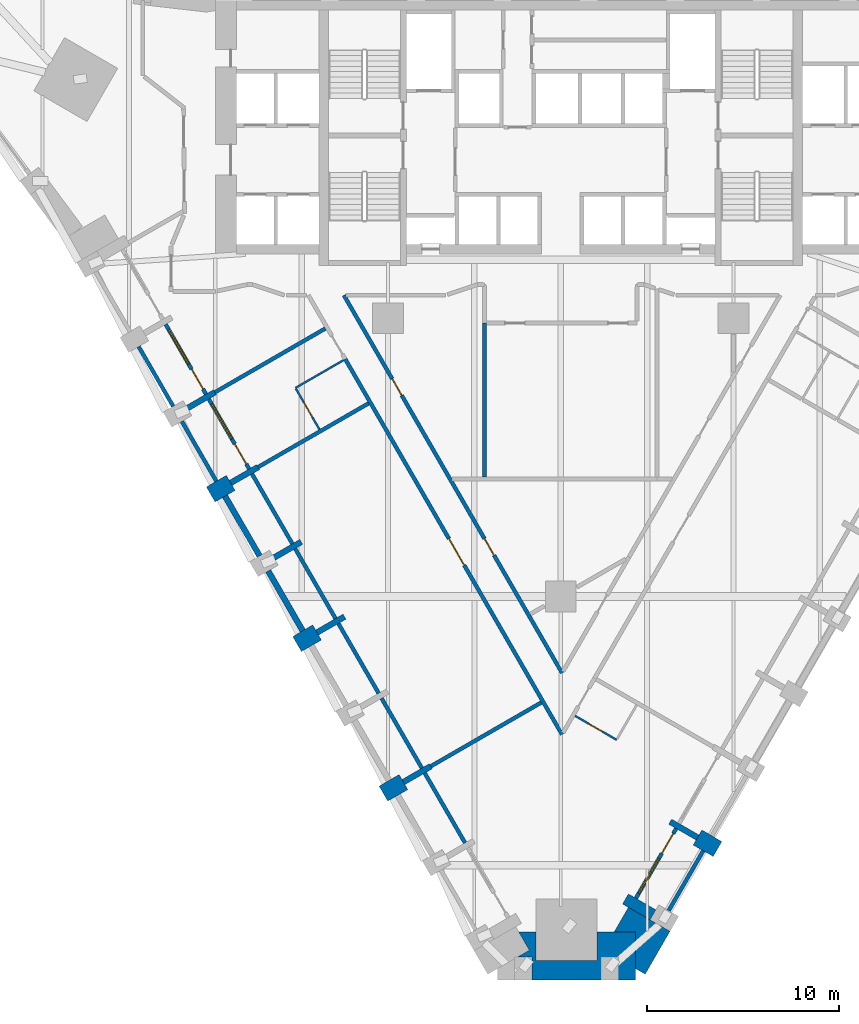
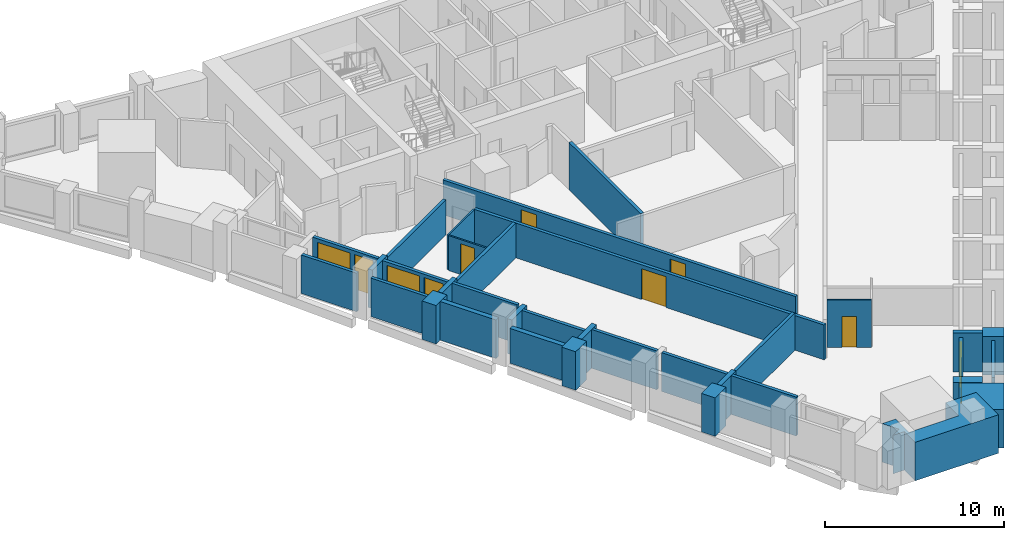
# One storey, part 3 of 10: 35 walls, 8 doors, 3 windows, 11 openings.
"""IFC4 building model written with IfcOpenShell, lengths in metres."""

from ifc_helpers import new_model, si_unit, direction, frame, frame_2d, origin, place, context, subcontext, project, spatial, polyline, rectangle, outline, extrude, material, layer, layer_set, type_object, element, fill, save


model = new_model("IFC4")

# Units and contexts
model_context = context("Model", 3, precision=1e-05, world=origin(), true_north=direction((0.0, 1.0)))
body_context = subcontext(model_context, "Body", "Model", "MODEL_VIEW")
ifc_project = project(units=[si_unit("LENGTHUNIT", "METRE"), si_unit("AREAUNIT", "SQUARE_METRE"), si_unit("VOLUMEUNIT", "CUBIC_METRE"), si_unit("PLANEANGLEUNIT", "RADIAN"), si_unit("MASSUNIT", "GRAM", prefix="KILO")], contexts=[model_context])

# Site, building, storey
site_placement = place(None, origin())
site = spatial("IfcSite", under=ifc_project, at=site_placement, CompositionType="ELEMENT")
building_placement = place(site_placement, origin())
building = spatial("IfcBuilding", under=site, at=building_placement, Name="Calabash Gate Tower", CompositionType="ELEMENT")
storey_placement = place(building_placement, frame((0.0, 0.0, 63.0)))
storey = spatial("IfcBuildingStorey", under=building, at=storey_placement, Name="L11", CompositionType="ELEMENT", Elevation=63.0)

# Walls
ifc_material_1 = material(Name="Terracotta brick masonry, exposed face", Category="masonry")
ifc_layer_1 = layer(ifc_material_1, 2.5)
ifc_layer_set_1 = layer_set([ifc_layer_1], Name="Brick corner mass wall 2500")
wall_type_1 = type_object("IfcWallType", Name="Brick corner mass wall 2500", PredefinedType="SOLIDWALL", material=ifc_layer_set_1)
wall_1_placement = place(storey_placement, origin())
element("IfcWall", 1, at=wall_1_placement, inside=storey, type_object=wall_type_1, Name="Brick corner pier S02 2bb", PredefinedType="SOLIDWALL", context=body_context, shape_type="SweptSolid", body=[
    extrude(outline(polyline([(-1.501953125, -30.780029296875), (-1.501953125, -31.97998046875), (3.8828125, -31.97998046875), (3.8828125, -29.47998046875), (1.89794921875, -29.47998046875), (1.89794921875, -30.9541015625), (-1.302001953125, -30.9541015625), (-1.302001953125, -29.47998046875), (-2.189208984375, -29.47998046875), (-1.640625, -30.43017578125), (-2.246826171875, -30.780029296875), (-1.501953125, -30.780029296875)])), origin(), (0.0, 0.0, 1.0), 2.6298828125),
])
wall_2_placement = place(storey_placement, origin())
element("IfcWall", 2, at=wall_2_placement, inside=storey, type_object=wall_type_1, Name="Brick corner pier S02 2c", PredefinedType="SOLIDWALL", context=body_context, shape_type="SweptSolid", body=[
    extrude(outline(polyline([(5.69384765625, -29.443115234375), (3.52880859375, -28.193115234375), (2.78564453125, -29.47998046875), (3.8828125, -29.47998046875), (3.8828125, -31.380126953125), (4.40234375, -31.68017578125), (5.69384765625, -29.443115234375)])), origin(), (0.0, 0.0, 1.0), 2.6298828125),
])
ifc_material_2 = material(Name="Terracotta brick masonry, exposed face", Category="masonry")
ifc_layer_2 = layer(ifc_material_2, 1.199951171875)
ifc_layer_set_2 = layer_set([ifc_layer_2], Name="Brick end wall 1200")
wall_type_2 = type_object("IfcWallType", Name="Brick end wall 1200", PredefinedType="SOLIDWALL", material=ifc_layer_set_2)
wall_3_placement = place(storey_placement, frame((-17.2001953125, -6.080322265625, 0.0), z_axis=(0.0, 0.0, 1.0), x_axis=(-0.866043267704, -0.499969057507, 0.0)))
element("IfcWall", 3, at=wall_3_placement, inside=storey, type_object=wall_type_2, Name="Brick pier S02 SW0.3", PredefinedType="SOLIDWALL", context=body_context, shape_type="SweptSolid", body=[
    extrude(rectangle(XDim=1.19970703125, YDim=0.89990234375, at=frame_2d((0.599853515625, 0.0))), origin(), (0.0, 0.0, 1.0), 2.6279296875),
])
for number, where, z_axis, x_axis, name in (
    (4, (-13.7392578125, -14.474609375, 0.0), (0.0, 0.0, 1.0), (0.865955154139, 0.50012165622, 0.0), "Brick pier S02 SW0.5"),
    (5, (-8.2001953125, -21.668701171875, 0.0), (0.0, 0.0, 1.0), (-0.865955154139, -0.50012165622, 0.0), "Brick pier S02 SW0.7"),
    (6, (8.168701171875, -25.156494140625, 0.0), (0.0, 0.0, 1.0), (-0.865955154139, 0.50012165622, 0.0), "Brick pier S02 SE2.1"),
):
    element("IfcWall", number, at=place(storey_placement, frame(where, z_axis=z_axis, x_axis=x_axis)), inside=storey, type_object=wall_type_2, Name=name, PredefinedType="SOLIDWALL", context=body_context, shape_type="SweptSolid", body=[
        extrude(rectangle(XDim=1.199951171875, YDim=0.89990234375, at=frame_2d((0.60009765625, 0.0))), origin(), (0.0, 0.0, 1.0), 2.6298828125),
    ])
ifc_material_3 = material(Name="Terracotta brick masonry, exposed face", Category="masonry")
ifc_layer_3 = layer(ifc_material_3, 0.300048828125)
ifc_layer_set_3 = layer_set([ifc_layer_3], Name="Brick infill panel wall 300")
wall_type_3 = type_object("IfcWallType", Name="Brick infill panel wall 300", PredefinedType="SOLIDWALL", material=ifc_layer_set_3)
wall_4_placement = place(storey_placement, frame((-15.69482421875, -9.88720703125, 0.0), z_axis=(0.0, 0.0, 1.0), x_axis=(-0.50001992892, 0.866013897511, 0.0)))
element("IfcWall", 7, at=wall_4_placement, inside=storey, type_object=wall_type_3, Name="Brick panel S02 SW0.4", PredefinedType="SOLIDWALL", context=body_context, shape_type="SweptSolid", body=[
    extrude(rectangle(XDim=3.599365234375, YDim=0.300048828125, at=frame_2d((1.7998046875, 0.0))), origin(), (0.0, 0.0, 1.0), 2.6298828125),
])
wall_5_placement = place(storey_placement, frame((-15.24462890625, -10.6669921875, 0.0), z_axis=(0.0, 0.0, 1.0), x_axis=(0.499961193289, -0.866047807691, 0.0)))
element("IfcWall", 8, at=wall_5_placement, inside=storey, type_object=wall_type_3, Name="Brick panel S02 SW0.5", PredefinedType="SOLIDWALL", context=body_context, shape_type="SweptSolid", body=[
    extrude(rectangle(XDim=3.599853515625, YDim=0.300048828125, at=frame_2d((1.7998046875, 0.0))), origin(), (0.0, 0.0, 1.0), 2.3740234375),
])
ifc_material_4 = material(Name="Terracotta brick masonry, exposed face", Category="masonry")
ifc_layer_4 = layer(ifc_material_4, 0.300048828125)
ifc_layer_set_4 = layer_set([ifc_layer_4], Name="Brick loggia cheek wall 300")
wall_type_4 = type_object("IfcWallType", Name="Brick loggia cheek wall 300", PredefinedType="SOLIDWALL", material=ifc_layer_set_4)
wall_6_placement = place(storey_placement, frame((-18.021240234375, -1.358154296875, 0.0), z_axis=(0.0, 0.0, 1.0), x_axis=(-0.866040211805, -0.499974350878, 0.0)))
element("IfcWall", 9, at=wall_6_placement, inside=storey, type_object=wall_type_4, Name="Loggia cheek S02 SW0.2", PredefinedType="SOLIDWALL", context=body_context, shape_type="SweptSolid", body=[
    extrude(rectangle(XDim=1.64990234375, YDim=0.300048828125, at=frame_2d((0.824951171875, 0.0))), origin(), (0.0, 0.0, 1.0), 2.6279296875),
])
wall_7_placement = place(storey_placement, frame((-17.2001953125, -6.080322265625, 0.0), z_axis=(0.0, 0.0, 1.0), x_axis=(0.866040211805, 0.499974350878, 0.0)))
element("IfcWall", 10, at=wall_7_placement, inside=storey, type_object=wall_type_4, Name="Loggia cheek S02 SW0.3", PredefinedType="SOLIDWALL", context=body_context, shape_type="SweptSolid", body=[
    extrude(rectangle(XDim=1.64990234375, YDim=0.300048828125, at=frame_2d((0.824951171875, 0.0))), origin(), (0.0, 0.0, 1.0), 2.64990234375),
])
wall_8_placement = place(storey_placement, frame((-14.9501953125, -9.977294921875, 0.0), z_axis=(0.0, 0.0, 1.0), x_axis=(0.866040211805, 0.499974350878, 0.0)))
element("IfcWall", 11, at=wall_8_placement, inside=storey, type_object=wall_type_4, Name="Loggia cheek S02 SW0.4", PredefinedType="SOLIDWALL", context=body_context, shape_type="SweptSolid", body=[
    extrude(rectangle(XDim=1.64990234375, YDim=0.300048828125, at=frame_2d((0.824951171875, 0.0))), origin(), (0.0, 0.0, 1.0), 2.384033203125),
])
for number, where, z_axis, x_axis, name in (
    (12, (-11.271240234375, -13.049560546875, 0.0), (0.0, 0.0, 1.0), (-0.866040211805, -0.499974350878, 0.0), "Loggia cheek S02 SW0.5"),
    (13, (-6.771240234375, -20.84375, 0.0), (0.0, 0.0, 1.0), (-0.866040211805, -0.499974350878, 0.0), "Loggia cheek S02 SW0.7"),
):
    element("IfcWall", number, at=place(storey_placement, frame(where, z_axis=z_axis, x_axis=x_axis)), inside=storey, type_object=wall_type_4, Name=name, PredefinedType="SOLIDWALL", context=body_context, shape_type="SweptSolid", body=[
        extrude(rectangle(XDim=1.64990234375, YDim=0.300048828125, at=frame_2d((0.824951171875, 0.0))), origin(), (0.0, 0.0, 1.0), 2.64990234375),
    ])
wall_9_placement = place(storey_placement, frame((4.804443359375, -28.58349609375, 0.0), z_axis=(0.0, 0.0, 1.0), x_axis=(-0.865976140824, 0.500085316245, 0.0)))
element("IfcWall", 14, at=wall_9_placement, inside=storey, type_object=wall_type_4, Name="Loggia cheek S02 SE2.0", PredefinedType="SOLIDWALL", context=body_context, shape_type="SweptSolid", body=[
    extrude(rectangle(XDim=1.650146484375, YDim=0.60009765625, at=frame_2d((0.8251953125, 0.0))), origin(), (0.0, 0.0, 1.0), 2.64990234375),
])
wall_10_placement = place(storey_placement, frame((7.129638671875, -24.556396484375, 0.0), z_axis=(0.0, 0.0, 1.0), x_axis=(-0.866040211805, 0.499974350878, 0.0)))
element("IfcWall", 15, at=wall_10_placement, inside=storey, type_object=wall_type_4, Name="Loggia cheek S02 SE2.1", PredefinedType="SOLIDWALL", context=body_context, shape_type="SweptSolid", body=[
    extrude(rectangle(XDim=1.64990234375, YDim=0.300048828125, at=frame_2d((0.824951171875, 0.0))), origin(), (0.0, 0.0, 1.0), 2.64990234375),
])

# Wall, opening, door
ifc_material_5 = material(Name="Gypsum board on steel studs, mineral wool", Category="steel")
ifc_layer_5 = layer(ifc_material_5, 0.10009765625)
ifc_layer_set_5 = layer_set([ifc_layer_5], Name="Partition 100 gypsum board")
wall_type_5 = type_object("IfcWallType", Name="Partition 100 gypsum board", PredefinedType="PARTITIONING", material=ifc_layer_set_5)
wall_11_placement = place(storey_placement, frame((0.745361328125, -18.215087890625, 0.0), z_axis=(0.0, 0.0, 1.0), x_axis=(0.866022959057, -0.500004234368, 0.0)))
wall_11 = element("IfcWall", 16, at=wall_11_placement, inside=storey, type_object=wall_type_5, Name="Partition", PredefinedType="PARTITIONING", context=body_context, shape_type="SweptSolid", body=[
    extrude(rectangle(XDim=2.5, YDim=0.10009765625, at=frame_2d((1.25, 0.0))), origin(), (0.0, 0.0, 1.0), 3.22998046875),
])
opening_1_placement = place(wall_11_placement, frame((0.85009765625, 0.0, 0.0)))
opening_1 = element("IfcOpeningElement", 17, at=opening_1_placement, cuts=wall_11, Name="Opening 09-11-011", PredefinedType="OPENING", context=body_context, shape_type="SweptSolid", body=[
    extrude(rectangle(XDim=0.800048828125, YDim=2.10009765625, at=frame_2d((0.39990234375, 1.050048828125))), frame((0.0, 0.06005859375, 0.0), z_axis=(0.0, -1.0, 0.0), x_axis=(1.0, 0.0, 0.0)), (0.0, 0.0, 1.0), 0.1201171875),
])
ifc_material_6 = material(Name="Painted timber door", Category="wood")
door_type_1 = type_object("IfcDoorType", Name="GD5 En-suite door 800x2100", OperationType="NOTDEFINED", PredefinedType="DOOR", material=ifc_material_6)
door_1_placement = place(opening_1_placement, origin())
door_1 = element("IfcDoor", 18, at=door_1_placement, inside=storey, type_object=door_type_1, Name="En-suite door", OperationType="SINGLE_SWING_LEFT", OverallHeight=2.10009765625, OverallWidth=0.800048828125, PredefinedType="DOOR", context=body_context, shape_type="SweptSolid", body=[
    extrude(rectangle(XDim=0.800048828125, YDim=2.10009765625, at=frame_2d((0.39990234375, 1.050048828125))), frame((0.0, 0.02490234375, 0.0), z_axis=(0.0, -1.0, 0.0), x_axis=(1.0, 0.0, 0.0)), (0.0, 0.0, 1.0), 0.050048828125),
])
fill(opening_1, door_1)

wall_12_placement = place(storey_placement, frame((-13.798583984375, -1.171875, 0.0), z_axis=(0.0, 0.0, 1.0), x_axis=(0.500018594424, -0.866014668023, 0.0)))
wall_12 = element("IfcWall", 19, at=wall_12_placement, inside=storey, type_object=wall_type_5, Name="Partition", PredefinedType="PARTITIONING", context=body_context, shape_type="SweptSolid", body=[
    extrude(rectangle(XDim=2.4501953125, YDim=0.10009765625, at=frame_2d((1.22509765625, 0.0))), origin(), (0.0, 0.0, 1.0), 2.384033203125),
])
opening_2_placement = place(wall_12_placement, frame((0.800048828125, 0.0, 0.0)))
opening_2 = element("IfcOpeningElement", 20, at=opening_2_placement, cuts=wall_12, Name="Opening 09-11-002", PredefinedType="OPENING", context=body_context, shape_type="SweptSolid", body=[
    extrude(rectangle(XDim=0.89990234375, YDim=2.10009765625, at=frame_2d((0.449951171875, 1.050048828125))), frame((0.0, 0.06005859375, 0.0), z_axis=(0.0, -1.0, 0.0), x_axis=(1.0, 0.0, 0.0)), (0.0, 0.0, 1.0), 0.1201171875),
])
ifc_material_7 = material(Name="Painted timber door", Category="wood")
door_type_2 = type_object("IfcDoorType", Name="GD6 Accessible en-suite door 900x2100", OperationType="NOTDEFINED", PredefinedType="DOOR", material=ifc_material_7)
door_2_placement = place(opening_2_placement, origin())
door_2 = element("IfcDoor", 21, at=door_2_placement, inside=storey, type_object=door_type_2, Name="Accessible en-suite door", OperationType="SINGLE_SWING_LEFT", OverallHeight=2.10009765625, OverallWidth=0.89990234375, PredefinedType="DOOR", context=body_context, shape_type="SweptSolid", body=[
    extrude(rectangle(XDim=0.89990234375, YDim=2.10009765625, at=frame_2d((0.449951171875, 1.050048828125))), frame((0.0, 0.02490234375, 0.0), z_axis=(0.0, -1.0, 0.0), x_axis=(1.0, 0.0, 0.0)), (0.0, 0.0, 1.0), 0.050048828125),
])
fill(opening_2, door_2)

# Walls
wall_13_placement = place(storey_placement, frame((-13.823486328125, -1.128662109375, 0.0), z_axis=(0.0, 0.0, 1.0), x_axis=(0.866314505181, 0.49949892704, 0.0)))
element("IfcWall", 22, at=wall_13_placement, inside=storey, type_object=wall_type_5, Name="Partition", PredefinedType="PARTITIONING", context=body_context, shape_type="SweptSolid", body=[
    extrude(rectangle(XDim=2.89990234375, YDim=0.10009765625, at=frame_2d((1.449951171875, 0.0))), origin(), (0.0, 0.0, 1.0), 2.384033203125),
])
ifc_material_8 = material(Name="Gypsum board on steel studs, mineral wool", Category="steel")
ifc_layer_6 = layer(ifc_material_8, 0.199951171875)
ifc_layer_set_6 = layer_set([ifc_layer_6], Name="Partition 200 gypsum board EI 60")
wall_type_6 = type_object("IfcWallType", Name="Partition 200 gypsum board EI 60", PredefinedType="PARTITIONING", material=ifc_layer_set_6)
wall_14_placement = place(storey_placement, frame((-6.77099609375, -20.84423828125, 0.0), z_axis=(0.0, 0.0, 1.0), x_axis=(0.866140962391, 0.499799793185, 0.0)))
element("IfcWall", 23, at=wall_14_placement, inside=storey, type_object=wall_type_6, Name="Partition", PredefinedType="PARTITIONING", context=body_context, shape_type="SweptSolid", body=[
    extrude(rectangle(XDim=6.649658203125, YDim=0.199951171875, at=frame_2d((3.32470703125, 0.0))), origin(), (0.0, 0.0, 1.0), 2.552001953125),
])

# Wall, opening, door
wall_15_placement = place(storey_placement, frame((-11.227294921875, 0.370361328125, 0.0), z_axis=(0.0, 0.0, 1.0), x_axis=(0.500006900114, -0.866021419965, 0.0)))
wall_15 = element("IfcWall", 24, at=wall_15_placement, inside=storey, type_object=wall_type_6, Name="Partition", PredefinedType="PARTITIONING", context=body_context, shape_type="SweptSolid", body=[
    extrude(rectangle(XDim=22.586181640625, YDim=0.199951171875, at=frame_2d((11.29296875, 0.0))), origin(), (0.0, 0.0, 1.0), 2.3740234375),
])
opening_3_placement = place(wall_15_placement, frame((10.800048828125, 0.0, 0.0)))
opening_3 = element("IfcOpeningElement", 25, at=opening_3_placement, cuts=wall_15, Name="Opening 09-11-003", PredefinedType="OPENING", context=body_context, shape_type="SweptSolid", body=[
    extrude(rectangle(XDim=1.60009765625, YDim=2.10009765625, at=frame_2d((0.800048828125, 1.050048828125))), frame((0.0, 0.10986328125, 0.0), z_axis=(0.0, -1.0, 0.0), x_axis=(1.0, 0.0, 0.0)), (0.0, 0.0, 1.0), 0.219970703125),
])
ifc_material_9 = material(Name="Steel fire door set with fire-resisting glazing", Category="steel")
door_type_3 = type_object("IfcDoorType", Name="LD1 Lounge double door 1600x2100", OperationType="NOTDEFINED", PredefinedType="DOOR", material=ifc_material_9)
door_3_placement = place(opening_3_placement, origin())
door_3 = element("IfcDoor", 26, at=door_3_placement, inside=storey, type_object=door_type_3, Name="Lounge double door", OperationType="DOUBLE_DOOR_SINGLE_SWING", OverallHeight=2.10009765625, OverallWidth=1.60009765625, PredefinedType="DOOR", context=body_context, shape_type="SweptSolid", body=[
    extrude(rectangle(XDim=1.60009765625, YDim=2.10009765625, at=frame_2d((0.800048828125, 1.050048828125))), frame((0.0, 0.02490234375, 0.0), z_axis=(0.0, -1.0, 0.0), x_axis=(1.0, 0.0, 0.0)), (0.0, 0.0, 1.0), 0.050048828125),
])
fill(opening_3, door_3)

# Walls
wall_16_placement = place(storey_placement, frame((-15.77099609375, -5.25537109375, 0.0), z_axis=(0.0, 0.0, 1.0), x_axis=(0.866166026107, 0.499756355856, 0.0)))
element("IfcWall", 27, at=wall_16_placement, inside=storey, type_object=wall_type_6, Name="Partition", PredefinedType="PARTITIONING", context=body_context, shape_type="SweptSolid", body=[
    extrude(rectangle(XDim=6.649658203125, YDim=0.199951171875, at=frame_2d((3.32470703125, 0.0))), origin(), (0.0, 0.0, 1.0), 2.384033203125),
])
wall_17_placement = place(storey_placement, frame((-18.021484375, -1.357666015625, 0.0), z_axis=(0.0, 0.0, 1.0), x_axis=(0.865919508558, 0.500183371074, 0.0)))
element("IfcWall", 28, at=wall_17_placement, inside=storey, type_object=wall_type_6, Name="Partition", PredefinedType="PARTITIONING", context=body_context, shape_type="SweptSolid", body=[
    extrude(rectangle(XDim=6.64794921875, YDim=0.199951171875, at=frame_2d((3.323974609375, 0.0))), origin(), (0.0, 0.0, 1.0), 2.384033203125),
])
wall_18_placement = place(storey_placement, frame((-3.979248046875, 2.25244140625, 0.0), z_axis=(0.0, 0.0, 1.0), x_axis=(0.000213083311, -0.999999977298, 0.0)))
element("IfcWall", 29, at=wall_18_placement, inside=storey, type_object=wall_type_6, Name="Partition", PredefinedType="PARTITIONING", context=body_context, shape_type="SweptSolid", body=[
    extrude(rectangle(XDim=8.020263671875, YDim=0.199951171875, at=frame_2d((4.01025390625, 0.0))), origin(), (0.0, 0.0, 1.0), 3.22998046875),
])

# Wall, openings, doors
wall_19_placement = place(storey_placement, frame((-11.29931640625, 3.69970703125, 0.0), z_axis=(0.0, 0.0, 1.0), x_axis=(0.500141073811, -0.86594393946, 0.0)))
wall_19 = element("IfcWall", 30, at=wall_19_placement, inside=storey, type_object=wall_type_6, Name="Partition", PredefinedType="PARTITIONING", context=body_context, shape_type="SweptSolid", body=[
    extrude(rectangle(XDim=22.7333984375, YDim=0.199951171875, at=frame_2d((11.36669921875, 0.0))), origin(), (0.0, 0.0, 1.0), 2.3740234375),
])
opening_4_placement = place(wall_19_placement, frame((5.02490234375, 0.0, 0.0)))
opening_4 = element("IfcOpeningElement", 31, at=opening_4_placement, cuts=wall_19, Name="Opening 09-11-005", PredefinedType="OPENING", context=body_context, shape_type="SweptSolid", body=[
    extrude(rectangle(XDim=1.0, YDim=2.10009765625, at=frame_2d((0.5, 1.050048828125))), frame((0.0, 0.10986328125, 0.0), z_axis=(0.0, -1.0, 0.0), x_axis=(1.0, 0.0, 0.0)), (0.0, 0.0, 1.0), 0.219970703125),
])
opening_5_placement = place(wall_19_placement, frame((14.64697265625, 0.0, 0.0)))
opening_5 = element("IfcOpeningElement", 32, at=opening_5_placement, cuts=wall_19, Name="Opening 09-11-010", PredefinedType="OPENING", context=body_context, shape_type="SweptSolid", body=[
    extrude(rectangle(XDim=1.0, YDim=2.10009765625, at=frame_2d((0.5, 1.050048828125))), frame((0.0, 0.10986328125, 0.0), z_axis=(0.0, -1.0, 0.0), x_axis=(1.0, 0.0, 0.0)), (0.0, 0.0, 1.0), 0.219970703125),
])
ifc_material_10 = material(Name="Steel fire door set with fire-resisting glazing", Category="steel")
door_type_4 = type_object("IfcDoorType", Name="LD2 Meeting room door 1000x2100", OperationType="NOTDEFINED", PredefinedType="DOOR", material=ifc_material_10)
door_4_placement = place(opening_4_placement, origin())
door_4 = element("IfcDoor", 33, at=door_4_placement, inside=storey, type_object=door_type_4, Name="Meeting room door", OperationType="SINGLE_SWING_LEFT", OverallHeight=2.10009765625, OverallWidth=1.0, PredefinedType="DOOR", context=body_context, shape_type="SweptSolid", body=[
    extrude(rectangle(XDim=1.0, YDim=2.10009765625, at=frame_2d((0.5, 1.050048828125))), frame((0.0, 0.02490234375, 0.0), z_axis=(0.0, -1.0, 0.0), x_axis=(1.0, 0.0, 0.0)), (0.0, 0.0, 1.0), 0.050048828125),
])
fill(opening_4, door_4)
door_5_placement = place(opening_5_placement, origin())
door_5 = element("IfcDoor", 34, at=door_5_placement, inside=storey, type_object=door_type_4, Name="Meeting room door", OperationType="SINGLE_SWING_RIGHT", OverallHeight=2.10009765625, OverallWidth=1.0, PredefinedType="DOOR", context=body_context, shape_type="SweptSolid", body=[
    extrude(rectangle(XDim=1.0, YDim=2.10009765625, at=frame_2d((0.5, 1.050048828125))), frame((0.0, 0.02490234375, 0.0), z_axis=(0.0, -1.0, 0.0), x_axis=(1.0, 0.0, 0.0)), (0.0, 0.0, 1.0), 0.050048828125),
])
fill(opening_5, door_5)

# Walls
ifc_material_11 = material(Name="Terracotta brick masonry, perforated", Category="masonry")
ifc_layer_7 = layer(ifc_material_11, 0.199951171875)
ifc_layer_set_7 = layer_set([ifc_layer_7], Name="Terracotta jaali screen B")
wall_type_7 = type_object("IfcWallType", Name="Terracotta jaali screen B", PredefinedType="SOLIDWALL", material=ifc_layer_set_7)
wall_20_placement = place(storey_placement, frame((-21.99462890625, 1.024169921875, 0.0), z_axis=(0.0, 0.0, 1.0), x_axis=(0.499961193289, -0.866047807691, 0.0)))
element("IfcWall", 35, at=wall_20_placement, inside=storey, type_object=wall_type_7, Name="SCREEN B S02 SW0.2", PredefinedType="SOLIDWALL", context=body_context, shape_type="SweptSolid", body=[
    extrude(rectangle(XDim=3.599853515625, YDim=0.199951171875, at=frame_2d((1.7998046875, 0.0))), origin(), (0.0, 0.0, 1.0), 2.6298828125),
])
wall_21_placement = place(storey_placement, frame((-19.74462890625, -2.872802734375, 0.0), z_axis=(0.0, 0.0, 1.0), x_axis=(0.499961193289, -0.866047807691, 0.0)))
element("IfcWall", 36, at=wall_21_placement, inside=storey, type_object=wall_type_7, Name="SCREEN B S02 SW0.3", PredefinedType="SOLIDWALL", context=body_context, shape_type="SweptSolid", body=[
    extrude(rectangle(XDim=3.599853515625, YDim=0.199951171875, at=frame_2d((1.7998046875, 0.0))), origin(), (0.0, 0.0, 1.0), 2.6279296875),
])
wall_22_placement = place(storey_placement, frame((5.624267578125, -28.36376953125, 0.0), z_axis=(0.0, 0.0, 1.0), x_axis=(0.499961193289, 0.866047807691, 0.0)))
element("IfcWall", 37, at=wall_22_placement, inside=storey, type_object=wall_type_7, Name="SCREEN B S02 SE2.1", PredefinedType="SOLIDWALL", context=body_context, shape_type="SweptSolid", body=[
    extrude(rectangle(XDim=3.599853515625, YDim=0.199951171875, at=frame_2d((1.7998046875, 0.0))), origin(), (0.0, 0.0, 1.0), 2.3740234375),
])

# Wall, openings, door, window
ifc_material_12 = material(Name="Aluminium framed window wall with insulated spandrel", Category="aluminium")
ifc_layer_8 = layer(ifc_material_12, 0.199951171875)
ifc_layer_set_8 = layer_set([ifc_layer_8], Name="Window wall 200")
wall_type_8 = type_object("IfcWallType", Name="Window wall 200", PredefinedType="ELEMENTEDWALL", material=ifc_layer_set_8)
wall_23_placement = place(storey_placement, frame((-20.5859375, 2.18408203125, 0.0), z_axis=(0.0, 0.0, 1.0), x_axis=(0.500027713859, -0.866009402589, 0.0)))
wall_23 = element("IfcWall", 38, at=wall_23_placement, inside=storey, type_object=wall_type_8, Name="Window wall S02 SW0.2", PredefinedType="ELEMENTEDWALL", context=body_context, shape_type="SweptSolid", body=[
    extrude(rectangle(XDim=4.199951171875, YDim=0.199951171875, at=frame_2d((2.10009765625, 0.0))), origin(), (0.0, 0.0, 1.0), 2.64990234375),
])
opening_6_placement = place(wall_23_placement, frame((0.300048828125, 0.0, 0.60009765625)))
opening_6 = element("IfcOpeningElement", 39, at=opening_6_placement, cuts=wall_23, Name="Opening HW1", PredefinedType="OPENING", context=body_context, shape_type="SweptSolid", body=[
    extrude(rectangle(XDim=2.10009765625, YDim=1.800048828125, at=frame_2d((1.050048828125, 0.89990234375))), frame((0.0, 0.10986328125, 0.0), z_axis=(0.0, -1.0, 0.0), x_axis=(1.0, 0.0, 0.0)), (0.0, 0.0, 1.0), 0.219970703125),
])
opening_7_placement = place(wall_23_placement, frame((2.699951171875, 0.0, 0.0)))
opening_7 = element("IfcOpeningElement", 40, at=opening_7_placement, cuts=wall_23, Name="Opening H2-024", PredefinedType="OPENING", context=body_context, shape_type="SweptSolid", body=[
    extrude(rectangle(XDim=1.199951171875, YDim=2.39990234375, at=frame_2d((0.60009765625, 1.199951171875))), frame((0.0, 0.10986328125, 0.0), z_axis=(0.0, -1.0, 0.0), x_axis=(1.0, 0.0, 0.0)), (0.0, 0.0, 1.0), 0.219970703125),
])
ifc_material_13 = material(Name="Anodised aluminium frame, bronze finish, impact-rated laminated clear glazing", Category="aluminium")
door_type_5 = type_object("IfcDoorType", Name="Loggia door DH1 1200x2400", OperationType="SLIDING_TO_LEFT", PredefinedType="DOOR", material=ifc_material_13)
door_6_placement = place(opening_7_placement, origin())
door_6 = element("IfcDoor", 41, at=door_6_placement, inside=storey, type_object=door_type_5, Name="Loggia door S02 SW0.2", OperationType="SINGLE_SWING_LEFT", OverallHeight=2.39990234375, OverallWidth=1.199951171875, PredefinedType="DOOR", context=body_context, shape_type="SweptSolid", body=[
    extrude(rectangle(XDim=1.199951171875, YDim=2.39990234375, at=frame_2d((0.60009765625, 1.199951171875))), frame((0.0, 0.02490234375, 0.0), z_axis=(0.0, -1.0, 0.0), x_axis=(1.0, 0.0, 0.0)), (0.0, 0.0, 1.0), 0.050048828125),
])
fill(opening_7, door_6)
ifc_material_14 = material(Name="Anodised aluminium frame, bronze finish, impact-rated laminated clear glazing", Category="aluminium")
window_type_1 = type_object("IfcWindowType", Name="Window HW1 2100x1800", PartitioningType="DOUBLE_PANEL_VERTICAL", PredefinedType="WINDOW", material=ifc_material_14)
window_1_placement = place(opening_6_placement, origin())
window_1 = element("IfcWindow", 42, at=window_1_placement, inside=storey, type_object=window_type_1, Name="Window HW1 S02 SW0.2", OverallHeight=1.800048828125, OverallWidth=2.10009765625, PartitioningType="SINGLE_PANEL", PredefinedType="WINDOW", context=body_context, shape_type="SweptSolid", body=[
    extrude(rectangle(XDim=2.10009765625, YDim=1.800048828125, at=frame_2d((1.050048828125, 0.89990234375))), frame((0.0, 0.030029296875, 0.0), z_axis=(0.0, -1.0, 0.0), x_axis=(1.0, 0.0, 0.0)), (0.0, 0.0, 1.0), 0.06005859375),
])
fill(opening_6, window_1)

wall_24_placement = place(storey_placement, frame((-18.3359375, -1.713134765625, 0.0), z_axis=(0.0, 0.0, 1.0), x_axis=(0.500027713859, -0.866009402589, 0.0)))
wall_24 = element("IfcWall", 43, at=wall_24_placement, inside=storey, type_object=wall_type_8, Name="Window wall S02 SW0.3", PredefinedType="ELEMENTEDWALL", context=body_context, shape_type="SweptSolid", body=[
    extrude(rectangle(XDim=4.199951171875, YDim=0.199951171875, at=frame_2d((2.10009765625, 0.0))), origin(), (0.0, 0.0, 1.0), 2.6279296875),
])
opening_8_placement = place(wall_24_placement, frame((0.300048828125, 0.0, 0.60009765625)))
opening_8 = element("IfcOpeningElement", 44, at=opening_8_placement, cuts=wall_24, Name="Opening HW1", PredefinedType="OPENING", context=body_context, shape_type="SweptSolid", body=[
    extrude(rectangle(XDim=2.10009765625, YDim=1.800048828125, at=frame_2d((1.050048828125, 0.89990234375))), frame((0.0, 0.10986328125, 0.0), z_axis=(0.0, -1.0, 0.0), x_axis=(1.0, 0.0, 0.0)), (0.0, 0.0, 1.0), 0.219970703125),
])
opening_9_placement = place(wall_24_placement, frame((2.699951171875, 0.0, 0.0)))
opening_9 = element("IfcOpeningElement", 45, at=opening_9_placement, cuts=wall_24, Name="Opening H2-025", PredefinedType="OPENING", context=body_context, shape_type="SweptSolid", body=[
    extrude(rectangle(XDim=1.199951171875, YDim=2.39990234375, at=frame_2d((0.60009765625, 1.199951171875))), frame((0.0, 0.10986328125, 0.0), z_axis=(0.0, -1.0, 0.0), x_axis=(1.0, 0.0, 0.0)), (0.0, 0.0, 1.0), 0.219970703125),
])
door_7_placement = place(opening_9_placement, origin())
door_7 = element("IfcDoor", 46, at=door_7_placement, inside=storey, type_object=door_type_5, Name="Loggia door S02 SW0.3", OperationType="SINGLE_SWING_LEFT", OverallHeight=2.39990234375, OverallWidth=1.199951171875, PredefinedType="DOOR", context=body_context, shape_type="SweptSolid", body=[
    extrude(rectangle(XDim=1.199951171875, YDim=2.39990234375, at=frame_2d((0.60009765625, 1.199951171875))), frame((0.0, 0.02490234375, 0.0), z_axis=(0.0, -1.0, 0.0), x_axis=(1.0, 0.0, 0.0)), (0.0, 0.0, 1.0), 0.050048828125),
])
fill(opening_9, door_7)
window_2_placement = place(opening_8_placement, origin())
window_2 = element("IfcWindow", 47, at=window_2_placement, inside=storey, type_object=window_type_1, Name="Window HW1 S02 SW0.3", OverallHeight=1.800048828125, OverallWidth=2.10009765625, PartitioningType="SINGLE_PANEL", PredefinedType="WINDOW", context=body_context, shape_type="SweptSolid", body=[
    extrude(rectangle(XDim=2.10009765625, YDim=1.800048828125, at=frame_2d((1.050048828125, 0.89990234375))), frame((0.0, 0.030029296875, 0.0), z_axis=(0.0, -1.0, 0.0), x_axis=(1.0, 0.0, 0.0)), (0.0, 0.0, 1.0), 0.06005859375),
])
fill(opening_8, window_2)

# Walls
wall_25_placement = place(storey_placement, frame((-16.0859375, -5.610107421875, 0.0), z_axis=(0.0, 0.0, 1.0), x_axis=(0.500002543286, -0.866023935413, 0.0)))
element("IfcWall", 48, at=wall_25_placement, inside=storey, type_object=wall_type_8, Name="Window wall S02 SW0.4", PredefinedType="ELEMENTEDWALL", context=body_context, shape_type="SweptSolid", body=[
    extrude(rectangle(XDim=4.2001953125, YDim=0.199951171875, at=frame_2d((2.10009765625, 0.0))), origin(), (0.0, 0.0, 1.0), 2.64990234375),
])
wall_26_placement = place(storey_placement, frame((-13.8359375, -9.50732421875, 0.0), z_axis=(0.0, 0.0, 1.0), x_axis=(0.500027713859, -0.866009402589, 0.0)))
element("IfcWall", 49, at=wall_26_placement, inside=storey, type_object=wall_type_8, Name="Window wall S02 SW0.5", PredefinedType="ELEMENTEDWALL", context=body_context, shape_type="SweptSolid", body=[
    extrude(rectangle(XDim=4.199951171875, YDim=0.199951171875, at=frame_2d((2.10009765625, 0.0))), origin(), (0.0, 0.0, 1.0), 2.3740234375),
])
wall_27_placement = place(storey_placement, frame((-11.5859375, -13.404296875, 0.0), z_axis=(0.0, 0.0, 1.0), x_axis=(0.500002543286, -0.866023935413, 0.0)))
element("IfcWall", 50, at=wall_27_placement, inside=storey, type_object=wall_type_8, Name="Window wall S02 SW0.6", PredefinedType="ELEMENTEDWALL", context=body_context, shape_type="SweptSolid", body=[
    extrude(rectangle(XDim=4.2001953125, YDim=0.199951171875, at=frame_2d((2.10009765625, 0.0))), origin(), (0.0, 0.0, 1.0), 2.64990234375),
])
for number, where, z_axis, x_axis, name in (
    (51, (-9.3359375, -17.301513671875, 0.0), (0.0, 0.0, 1.0), (0.500027713859, -0.866009402589, 0.0), "Window wall S02 SW0.7"),
    (52, (-7.0859375, -21.19873046875, 0.0), (0.0, 0.0, 1.0), (0.500027713859, -0.866009402589, 0.0), "Window wall S02 SW0.8"),
):
    element("IfcWall", number, at=place(storey_placement, frame(where, z_axis=z_axis, x_axis=x_axis)), inside=storey, type_object=wall_type_8, Name=name, PredefinedType="ELEMENTEDWALL", context=body_context, shape_type="SweptSolid", body=[
        extrude(rectangle(XDim=4.199951171875, YDim=0.199951171875, at=frame_2d((2.10009765625, 0.0))), origin(), (0.0, 0.0, 1.0), 2.64990234375),
    ])

# Wall, openings, door, window
wall_28_placement = place(storey_placement, frame((3.915283203125, -27.7236328125, 0.0), z_axis=(0.0, 0.0, 1.0), x_axis=(0.500002543286, 0.866023935413, 0.0)))
wall_28 = element("IfcWall", 53, at=wall_28_placement, inside=storey, type_object=wall_type_8, Name="Window wall S02 SE2.1", PredefinedType="ELEMENTEDWALL", context=body_context, shape_type="SweptSolid", body=[
    extrude(rectangle(XDim=4.2001953125, YDim=0.199951171875, at=frame_2d((2.10009765625, 0.0))), origin(), (0.0, 0.0, 1.0), 2.3740234375),
])
opening_10_placement = place(wall_28_placement, frame((0.300048828125, 0.0, 0.60009765625)))
opening_10 = element("IfcOpeningElement", 54, at=opening_10_placement, cuts=wall_28, Name="Opening HW1L-1670", PredefinedType="OPENING", context=body_context, shape_type="SweptSolid", body=[
    extrude(rectangle(XDim=2.10009765625, YDim=1.669921875, at=frame_2d((1.050048828125, 0.8349609375))), frame((0.0, 0.10986328125, 0.0), z_axis=(0.0, -1.0, 0.0), x_axis=(1.0, 0.0, 0.0)), (0.0, 0.0, 1.0), 0.219970703125),
])
opening_11_placement = place(wall_28_placement, frame((2.699951171875, 0.0, 0.0)))
opening_11 = element("IfcOpeningElement", 55, at=opening_11_placement, cuts=wall_28, Name="Opening H2-018", PredefinedType="OPENING", context=body_context, shape_type="SweptSolid", body=[
    extrude(rectangle(XDim=1.199951171875, YDim=2.27001953125, at=frame_2d((0.60009765625, 1.135009765625))), frame((0.0, 0.10986328125, 0.0), z_axis=(0.0, -1.0, 0.0), x_axis=(1.0, 0.0, 0.0)), (0.0, 0.0, 1.0), 0.219970703125),
])
ifc_material_15 = material(Name="Anodised aluminium frame, bronze finish, impact-rated laminated clear glazing", Category="aluminium")
door_type_6 = type_object("IfcDoorType", Name="Loggia door DH1L-2270 1200x2270", OperationType="SLIDING_TO_LEFT", PredefinedType="DOOR", material=ifc_material_15)
door_8_placement = place(opening_11_placement, origin())
door_8 = element("IfcDoor", 56, at=door_8_placement, inside=storey, type_object=door_type_6, Name="Loggia door S02 SE2.1", OperationType="SINGLE_SWING_LEFT", OverallHeight=2.27001953125, OverallWidth=1.199951171875, PredefinedType="DOOR", context=body_context, shape_type="SweptSolid", body=[
    extrude(rectangle(XDim=1.199951171875, YDim=2.27001953125, at=frame_2d((0.60009765625, 1.135009765625))), frame((0.0, 0.02490234375, 0.0), z_axis=(0.0, -1.0, 0.0), x_axis=(1.0, 0.0, 0.0)), (0.0, 0.0, 1.0), 0.050048828125),
])
fill(opening_11, door_8)
ifc_material_16 = material(Name="Anodised aluminium frame, bronze finish, impact-rated laminated clear glazing", Category="aluminium")
window_type_2 = type_object("IfcWindowType", Name="Window HW1L 2100x1670", PartitioningType="DOUBLE_PANEL_VERTICAL", PredefinedType="WINDOW", material=ifc_material_16)
window_3_placement = place(opening_10_placement, origin())
window_3 = element("IfcWindow", 57, at=window_3_placement, inside=storey, type_object=window_type_2, Name="Window HW1 S02 SE2.1", OverallHeight=1.669921875, OverallWidth=2.10009765625, PartitioningType="SINGLE_PANEL", PredefinedType="WINDOW", context=body_context, shape_type="SweptSolid", body=[
    extrude(rectangle(XDim=2.10009765625, YDim=1.669921875, at=frame_2d((1.050048828125, 0.8349609375))), frame((0.0, 0.030029296875, 0.0), z_axis=(0.0, -1.0, 0.0), x_axis=(1.0, 0.0, 0.0)), (0.0, 0.0, 1.0), 0.06005859375),
])
fill(opening_10, window_3)

save(model, "model.ifc")
